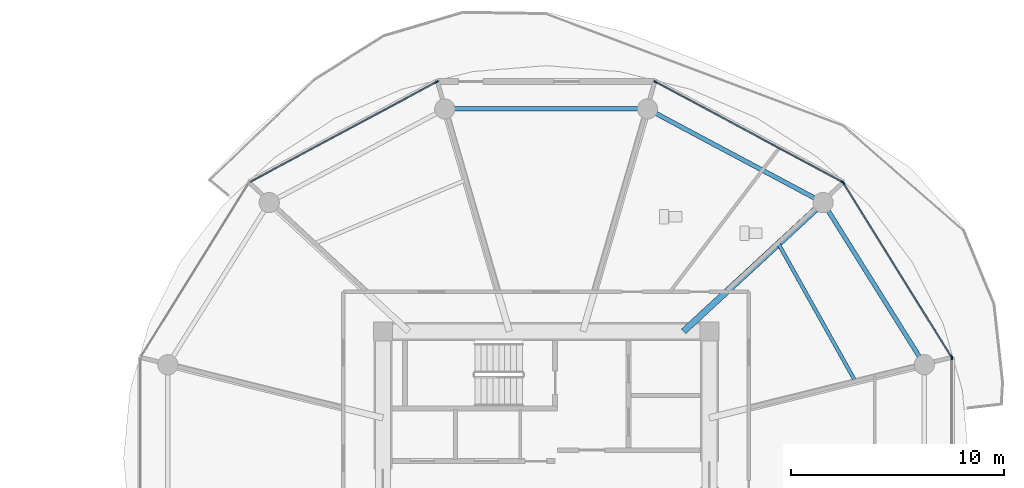
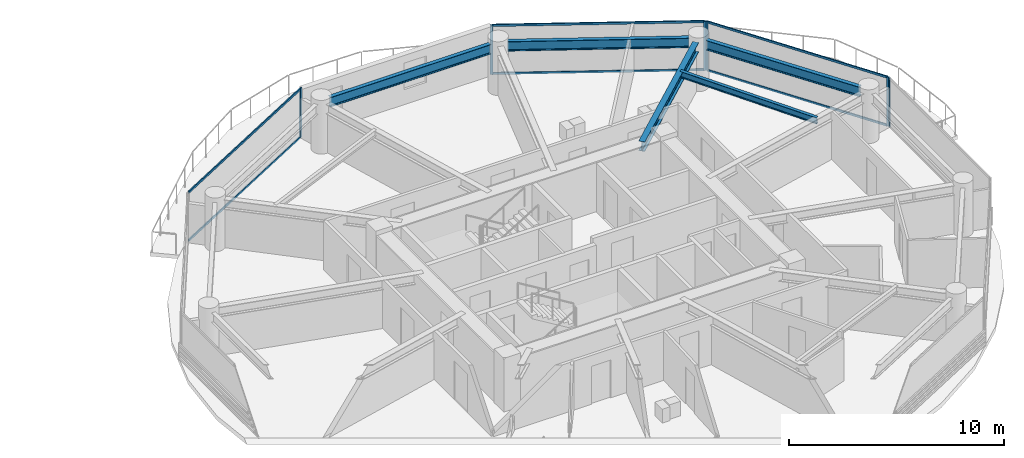
# One storey, part 13 of 27: 12 members, 5 beams, 4 elements without a shape of their own.
"""IFC4 building model written with IfcOpenShell, lengths in metres."""

from ifc_helpers import new_model, si_unit, direction, frame, origin, origin_2d, place, context, subcontext, project, spatial, rectangle, i_section, extrude, source, transform, mapped, material, layer, layer_set, material_profile, profile_set, type_object, type_shapes, element, aggregate, save


model = new_model("IFC4")

# Units and contexts
model_context = context("Model", 3, precision=1e-05, world=origin(), true_north=direction((0.0, 1.0)))
body_context = subcontext(model_context, "Body", "Model", "MODEL_VIEW")
ifc_project = project(units=[si_unit("LENGTHUNIT", "METRE"), si_unit("AREAUNIT", "SQUARE_METRE"), si_unit("VOLUMEUNIT", "CUBIC_METRE"), si_unit("PLANEANGLEUNIT", "RADIAN"), si_unit("MASSUNIT", "GRAM", prefix="KILO")], contexts=[model_context])

# Site, building, storey
site_placement = place(None, origin())
site = spatial("IfcSite", under=ifc_project, at=site_placement, CompositionType="ELEMENT")
building_placement = place(site_placement, origin())
building = spatial("IfcBuilding", under=site, at=building_placement, Name="Norrkilde Senior Care Towers", CompositionType="ELEMENT")
storey_placement = place(building_placement, frame((0.0, 0.0, 52.10009765625)))
storey = spatial("IfcBuildingStorey", under=building, at=storey_placement, Name="L15", CompositionType="ELEMENT", Elevation=52.10009765625)

# Beams
ifc_material_1 = material(Name="Steel S355", Category="steel")
ifc_material_profile_1 = material_profile(ifc_material_1, i_section(OverallWidth=0.2099609375, OverallDepth=0.550048828125, WebThickness=0.010986328125, FlangeThickness=0.01708984375, FilletRadius=0.02392578125, at=origin_2d()), Name="IPE 550")
ifc_profile_set_1 = profile_set([ifc_material_profile_1], Name="Steel S355")
beam_type_1 = type_object("IfcBeamType", Name="Perimeter Ring Spandrel Z1 IPE550", PredefinedType="SPANDREL", material=ifc_profile_set_1)
shared_shape_1 = source(origin(), body_context, "Body", "SweptSolid", [
    extrude(i_section(OverallWidth=0.2099609375, OverallDepth=0.550048828125, WebThickness=0.010986328125, FlangeThickness=0.01708984375, FilletRadius=0.02392578125, at=origin_2d()), origin(), (0.0, 0.0, 1.0), 8.090576171875),
])
beam_1_placement = place(storey_placement, frame((45.494140625, 4.755859375, 2.514892578125), z_axis=(-0.530004364821, 0.84799491347, 0.0), x_axis=(-0.84799491347, -0.530004364821, 0.0)))
element("IfcBeam", 1, at=beam_1_placement, inside=storey, type_object=beam_type_1, Name="L15 Drum E Perimeter Spandrel 01", PredefinedType="SPANDREL", context=body_context, shape_type="MappedRepresentation", body=[
    mapped(shared_shape_1, transform((0.0, 0.0, 0.0), x_axis=(1.0, 0.0, 0.0), y_axis=(0.0, 1.0, 0.0), z_axis=(0.0, 0.0, 1.0), scale=1.0)),
])
shared_shape_2 = source(origin(), body_context, "Body", "SweptSolid", [
    extrude(i_section(OverallWidth=0.2099609375, OverallDepth=0.550048828125, WebThickness=0.010986328125, FlangeThickness=0.01708984375, FilletRadius=0.02392578125, at=origin_2d()), origin(), (0.0, 0.0, 1.0), 8.452880859375),
])
beam_2_placement = place(storey_placement, frame((40.591552734375, 12.190185546875, 2.514892578125), z_axis=(-0.882368931134, 0.470558252898, 0.0), x_axis=(-0.470558252898, -0.882368931134, 0.0)))
element("IfcBeam", 2, at=beam_2_placement, inside=storey, type_object=beam_type_1, Name="L15 Drum E Perimeter Spandrel 02", PredefinedType="SPANDREL", context=body_context, shape_type="MappedRepresentation", body=[
    mapped(shared_shape_2, transform((0.0, 0.0, 0.0), x_axis=(1.0, 0.0, 0.0), y_axis=(0.0, 1.0, 0.0), z_axis=(0.0, 0.0, 1.0), scale=1.0)),
])
ifc_material_profile_2 = material_profile(ifc_material_1, i_section(OverallWidth=0.300048828125, OverallDepth=0.550048828125, WebThickness=0.014892578125, FlangeThickness=0.029052734375, FilletRadius=0.027099609375, at=origin_2d()), Name="HEB 550")
ifc_profile_set_2 = profile_set([ifc_material_profile_2], Name="Steel S355")
beam_type_2 = type_object("IfcBeamType", Name="Radial Floor Beam Z1 HEB550", PredefinedType="BEAM", material=ifc_profile_set_2)
shared_shape_3 = source(origin(), body_context, "Body", "SweptSolid", [
    extrude(i_section(OverallWidth=0.300048828125, OverallDepth=0.550048828125, WebThickness=0.014892578125, FlangeThickness=0.029052734375, FilletRadius=0.027099609375, at=origin_2d()), origin(), (0.0, 0.0, 1.0), 8.459716796875),
])
type_shapes(beam_type_2, [shared_shape_3])
beam_3_placement = place(storey_placement, frame((34.44140625, 5.949951171875, 2.514892578125), z_axis=(0.734573269108, 0.678529374686, 0.0), x_axis=(-0.678529374686, 0.734573269108, 0.0)))
element("IfcBeam", 3, at=beam_3_placement, inside=storey, type_object=beam_type_2, Name="L15 Drum E Radial Floor Beam 02", PredefinedType="BEAM", context=body_context, shape_type="MappedRepresentation", body=[
    mapped(shared_shape_3, transform((0.0, 0.0, 0.0), x_axis=(1.0, 0.0, 0.0), y_axis=(0.0, 1.0, 0.0), z_axis=(0.0, 0.0, 1.0), scale=1.0)),
])
shared_shape_4 = source(origin(), body_context, "Body", "SweptSolid", [
    extrude(i_section(OverallWidth=0.2099609375, OverallDepth=0.550048828125, WebThickness=0.010986328125, FlangeThickness=0.01708984375, FilletRadius=0.02392578125, at=origin_2d()), origin(), (0.0, 0.0, 1.0), 8.62841796875),
])
type_shapes(beam_type_1, [shared_shape_1, shared_shape_2, shared_shape_4])
beam_4_placement = place(storey_placement, frame((32.314208984375, 16.37255859375, 2.514892578125), z_axis=(-1.0, 0.0, 0.0), x_axis=(0.0, -1.0, 0.0)))
element("IfcBeam", 4, at=beam_4_placement, inside=storey, type_object=beam_type_1, Name="L15 Drum E Perimeter Spandrel 03", PredefinedType="SPANDREL", context=body_context, shape_type="MappedRepresentation", body=[
    mapped(shared_shape_4, transform((0.0, 0.0, 0.0), x_axis=(1.0, 0.0, 0.0), y_axis=(0.0, 1.0, 0.0), z_axis=(0.0, 0.0, 1.0), scale=1.0)),
])
ifc_material_profile_3 = material_profile(ifc_material_1, i_section(OverallWidth=0.169921875, OverallDepth=0.360107421875, WebThickness=0.008056640625, FlangeThickness=0.0126953125, FilletRadius=0.01806640625, at=origin_2d()), Name="IPE 360")
ifc_profile_set_3 = profile_set([ifc_material_profile_3], Name="Steel S355")
beam_type_3 = type_object("IfcBeamType", Name="Secondary Floor Joist IPE360", PredefinedType="JOIST", material=ifc_profile_set_3)
shared_shape_5 = source(origin(), body_context, "Body", "SweptSolid", [
    extrude(i_section(OverallWidth=0.169921875, OverallDepth=0.360107421875, WebThickness=0.008056640625, FlangeThickness=0.0126953125, FilletRadius=0.01806640625, at=origin_2d()), origin(), (0.0, 0.0, 1.0), 7.40771484375),
])
type_shapes(beam_type_3, [shared_shape_5])
beam_5_placement = place(storey_placement, frame((42.500732421875, 3.589111328125, 2.60986328125), z_axis=(-0.488167754092, 0.872749817453, 0.0), x_axis=(-0.872749817453, -0.488167754092, 0.0)))
element("IfcBeam", 5, at=beam_5_placement, inside=storey, type_object=beam_type_3, Name="L15 Drum E Secondary Floor Joist 1", PredefinedType="JOIST", context=body_context, shape_type="MappedRepresentation", body=[
    mapped(shared_shape_5, transform((0.0, 0.0, 0.0), x_axis=(1.0, 0.0, 0.0), y_axis=(0.0, 1.0, 0.0), z_axis=(0.0, 0.0, 1.0), scale=1.0)),
])

# Curtain wall, members
ifc_material_2 = material(Name="Triple Low-E Insulated Glazing", Category="glass")
ifc_layer = layer(ifc_material_2, 0.199951171875)
ifc_layer_set = layer_set([ifc_layer], Name="Triple Low-E Insulated Glazing")
curtain_wall_type = type_object("IfcCurtainWallType", Name="CW2 Zone 1 Memory Care Curtain Wall", PredefinedType="NOTDEFINED", material=ifc_layer_set)
curtain_wall_1_placement = place(storey_placement, origin())
curtain_wall_1 = element("IfcCurtainWall", 6, at=curtain_wall_1_placement, inside=storey, type_object=curtain_wall_type, Name="L15 Drum E Curtain Wall 00", PredefinedType="NOTDEFINED")
ifc_material_3 = material(Name="Anodised Aluminium", Category="aluminium")
ifc_material_profile_4 = material_profile(ifc_material_3, rectangle(XDim=0.06494140625, YDim=0.159912109375, at=origin_2d()), Name="ALU MULL 65x160")
ifc_profile_set_4 = profile_set([ifc_material_profile_4], Name="Anodised Aluminium")
member_type_1 = type_object("IfcMemberType", Name="Curtain Wall Mullion Z1-Z2 65x160", PredefinedType="MULLION", material=ifc_profile_set_4)
shared_shape_6 = source(origin(), body_context, "Body", "SweptSolid", [
    extrude(rectangle(XDim=0.06494140625, YDim=0.159912109375, at=origin_2d()), origin(), (0.0, 0.0, 1.0), 2.789794921875),
])
type_shapes(member_type_1, [shared_shape_6])
member_1_placement = place(storey_placement, frame((41.93310546875, 12.898193359375, 0.0), z_axis=(0.0, 0.0, 1.0), x_axis=(0.849305943117, 0.527900951871, 0.0)))
member_1 = element("IfcMember", 7, at=member_1_placement, type_object=member_type_1, Name="CW-2 mullion 1", PredefinedType="MULLION", context=body_context, shape_type="MappedRepresentation", body=[
    mapped(shared_shape_6, transform((0.0, 0.0, 0.0), x_axis=(1.0, 0.0, 0.0), y_axis=(0.0, 1.0, 0.0), z_axis=(0.0, 0.0, 1.0), scale=1.0)),
])
member_2_placement = place(storey_placement, frame((46.9921875, 4.7587890625, 0.0), z_axis=(0.0, 0.0, 1.0), x_axis=(0.849305943117, 0.527900951871, 0.0)))
member_2 = element("IfcMember", 8, at=member_2_placement, type_object=member_type_1, Name="CW-2 mullion 2", PredefinedType="MULLION", context=body_context, shape_type="MappedRepresentation", body=[
    mapped(shared_shape_6, transform((0.0, 0.0, 0.0), x_axis=(1.0, 0.0, 0.0), y_axis=(0.0, 1.0, 0.0), z_axis=(0.0, 0.0, 1.0), scale=1.0)),
])

curtain_wall_2_placement = place(storey_placement, origin())
curtain_wall_2 = element("IfcCurtainWall", 9, at=curtain_wall_2_placement, inside=storey, type_object=curtain_wall_type, Name="L15 Drum E Curtain Wall 01", PredefinedType="NOTDEFINED")
member_3_placement = place(storey_placement, frame((33.122314453125, 17.641845703125, 0.0), z_axis=(0.0, 0.0, 1.0), x_axis=(0.472607802456, 0.881272866403, 0.0)))
member_3 = element("IfcMember", 10, at=member_3_placement, type_object=member_type_1, Name="CW-2 mullion 1", PredefinedType="MULLION", context=body_context, shape_type="MappedRepresentation", body=[
    mapped(shared_shape_6, transform((0.0, 0.0, 0.0), x_axis=(1.0, 0.0, 0.0), y_axis=(0.0, 1.0, 0.0), z_axis=(0.0, 0.0, 1.0), scale=1.0)),
])
member_4_placement = place(storey_placement, frame((41.88720703125, 12.941162109375, 0.0), z_axis=(0.0, 0.0, 1.0), x_axis=(0.472607802456, 0.881272866403, 0.0)))
member_4 = element("IfcMember", 11, at=member_4_placement, type_object=member_type_1, Name="CW-2 mullion 2", PredefinedType="MULLION", context=body_context, shape_type="MappedRepresentation", body=[
    mapped(shared_shape_6, transform((0.0, 0.0, 0.0), x_axis=(1.0, 0.0, 0.0), y_axis=(0.0, 1.0, 0.0), z_axis=(0.0, 0.0, 1.0), scale=1.0)),
])

# Curtain wall, member
curtain_wall_3_placement = place(storey_placement, origin())
curtain_wall_3 = element("IfcCurtainWall", 12, at=curtain_wall_3_placement, inside=storey, type_object=curtain_wall_type, Name="L15 Drum E Curtain Wall 03", PredefinedType="NOTDEFINED")
member_5_placement = place(storey_placement, frame((22.877685546875, 17.641845703125, 0.0), z_axis=(0.0, 0.0, 1.0), x_axis=(-0.472607802456, 0.881272866403, 0.0)))
member_5 = element("IfcMember", 13, at=member_5_placement, type_object=member_type_1, Name="CW-2 mullion 2", PredefinedType="MULLION", context=body_context, shape_type="MappedRepresentation", body=[
    mapped(shared_shape_6, transform((0.0, 0.0, 0.0), x_axis=(1.0, 0.0, 0.0), y_axis=(0.0, 1.0, 0.0), z_axis=(0.0, 0.0, 1.0), scale=1.0)),
])

curtain_wall_4_placement = place(storey_placement, origin())
curtain_wall_4 = element("IfcCurtainWall", 14, at=curtain_wall_4_placement, inside=storey, type_object=curtain_wall_type, Name="L15 Drum E Curtain Wall 11", PredefinedType="NOTDEFINED")
member_6_placement = place(storey_placement, frame((47.009521484375, 4.69873046875, 0.0), z_axis=(0.0, 0.0, 1.0), x_axis=(1.0, 0.0, 0.0)))
member_6 = element("IfcMember", 15, at=member_6_placement, type_object=member_type_1, Name="CW-2 mullion 1", PredefinedType="MULLION", context=body_context, shape_type="MappedRepresentation", body=[
    mapped(shared_shape_6, transform((0.0, 0.0, 0.0), x_axis=(1.0, 0.0, 0.0), y_axis=(0.0, 1.0, 0.0), z_axis=(0.0, 0.0, 1.0), scale=1.0)),
])
aggregate(curtain_wall_4, [member_6])

# Member
ifc_material_profile_5 = material_profile(ifc_material_3, rectangle(XDim=0.06005859375, YDim=0.1201171875, at=origin_2d()), Name="ALU TRAN 60x120")
ifc_profile_set_5 = profile_set([ifc_material_profile_5], Name="Anodised Aluminium")
member_type_2 = type_object("IfcMemberType", Name="Curtain Wall Transom Typical 60x120", PredefinedType="USERDEFINED", material=ifc_profile_set_5)
shared_shape_7 = source(origin(), body_context, "Body", "SweptSolid", [
    extrude(rectangle(XDim=0.06005859375, YDim=0.1201171875, at=origin_2d()), origin(), (0.0, 0.0, 1.0), 9.5185546875),
])
member_7_placement = place(storey_placement, frame((41.9501953125, 12.87060546875, 0.02978515625), z_axis=(0.527901620669, -0.849305527413, 0.0), x_axis=(0.849305527413, 0.527901620669, 0.0)))
member_7 = element("IfcMember", 16, at=member_7_placement, type_object=member_type_2, Name="CW-2 transom 1.1", ObjectType="TRANSOM", PredefinedType="USERDEFINED", context=body_context, shape_type="MappedRepresentation", body=[
    mapped(shared_shape_7, transform((0.0, 0.0, 0.0), x_axis=(1.0, 0.0, 0.0), y_axis=(0.0, 1.0, 0.0), z_axis=(0.0, 0.0, 1.0), scale=1.0)),
])

member_8_placement = place(storey_placement, frame((41.9501953125, 12.87060546875, 2.760009765625), z_axis=(0.527901620669, -0.849305527413, 0.0), x_axis=(0.849305527413, 0.527901620669, 0.0)))
member_8 = element("IfcMember", 17, at=member_8_placement, type_object=member_type_2, Name="CW-2 transom 1.2", ObjectType="TRANSOM", PredefinedType="USERDEFINED", context=body_context, shape_type="MappedRepresentation", body=[
    mapped(shared_shape_7, transform((0.0, 0.0, 0.0), x_axis=(1.0, 0.0, 0.0), y_axis=(0.0, 1.0, 0.0), z_axis=(0.0, 0.0, 1.0), scale=1.0)),
])

aggregate(curtain_wall_1, [member_1, member_2, member_7, member_8])

shared_shape_8 = source(origin(), body_context, "Body", "SweptSolid", [
    extrude(rectangle(XDim=0.06005859375, YDim=0.1201171875, at=origin_2d()), origin(), (0.0, 0.0, 1.0), 9.880859375),
])
type_shapes(member_type_2, [shared_shape_7, shared_shape_8])
member_9_placement = place(storey_placement, frame((33.15087890625, 17.62646484375, 0.02978515625), z_axis=(0.881267204043, -0.47261836092, 0.0), x_axis=(0.47261836092, 0.881267204043, 0.0)))
member_9 = element("IfcMember", 18, at=member_9_placement, type_object=member_type_2, Name="CW-2 transom 1.1", ObjectType="TRANSOM", PredefinedType="USERDEFINED", context=body_context, shape_type="MappedRepresentation", body=[
    mapped(shared_shape_8, transform((0.0, 0.0, 0.0), x_axis=(1.0, 0.0, 0.0), y_axis=(0.0, 1.0, 0.0), z_axis=(0.0, 0.0, 1.0), scale=1.0)),
])

member_10_placement = place(storey_placement, frame((33.15087890625, 17.62646484375, 2.760009765625), z_axis=(0.881267204043, -0.47261836092, 0.0), x_axis=(0.47261836092, 0.881267204043, 0.0)))
member_10 = element("IfcMember", 19, at=member_10_placement, type_object=member_type_2, Name="CW-2 transom 1.2", ObjectType="TRANSOM", PredefinedType="USERDEFINED", context=body_context, shape_type="MappedRepresentation", body=[
    mapped(shared_shape_8, transform((0.0, 0.0, 0.0), x_axis=(1.0, 0.0, 0.0), y_axis=(0.0, 1.0, 0.0), z_axis=(0.0, 0.0, 1.0), scale=1.0)),
])

aggregate(curtain_wall_2, [member_3, member_4, member_9, member_10])

member_11_placement = place(storey_placement, frame((14.141357421875, 12.95654296875, 0.02978515625), z_axis=(0.881267204043, 0.47261836092, 0.0), x_axis=(-0.47261836092, 0.881267204043, 0.0)))
member_11 = element("IfcMember", 20, at=member_11_placement, type_object=member_type_2, Name="CW-2 transom 1.1", ObjectType="TRANSOM", PredefinedType="USERDEFINED", context=body_context, shape_type="MappedRepresentation", body=[
    mapped(shared_shape_8, transform((0.0, 0.0, 0.0), x_axis=(1.0, 0.0, 0.0), y_axis=(0.0, 1.0, 0.0), z_axis=(0.0, 0.0, 1.0), scale=1.0)),
])

member_12_placement = place(storey_placement, frame((14.141357421875, 12.95654296875, 2.760009765625), z_axis=(0.881267204043, 0.47261836092, 0.0), x_axis=(-0.47261836092, 0.881267204043, 0.0)))
member_12 = element("IfcMember", 21, at=member_12_placement, type_object=member_type_2, Name="CW-2 transom 1.2", ObjectType="TRANSOM", PredefinedType="USERDEFINED", context=body_context, shape_type="MappedRepresentation", body=[
    mapped(shared_shape_8, transform((0.0, 0.0, 0.0), x_axis=(1.0, 0.0, 0.0), y_axis=(0.0, 1.0, 0.0), z_axis=(0.0, 0.0, 1.0), scale=1.0)),
])

aggregate(curtain_wall_3, [member_5, member_11, member_12])

save(model, "model.ifc")
